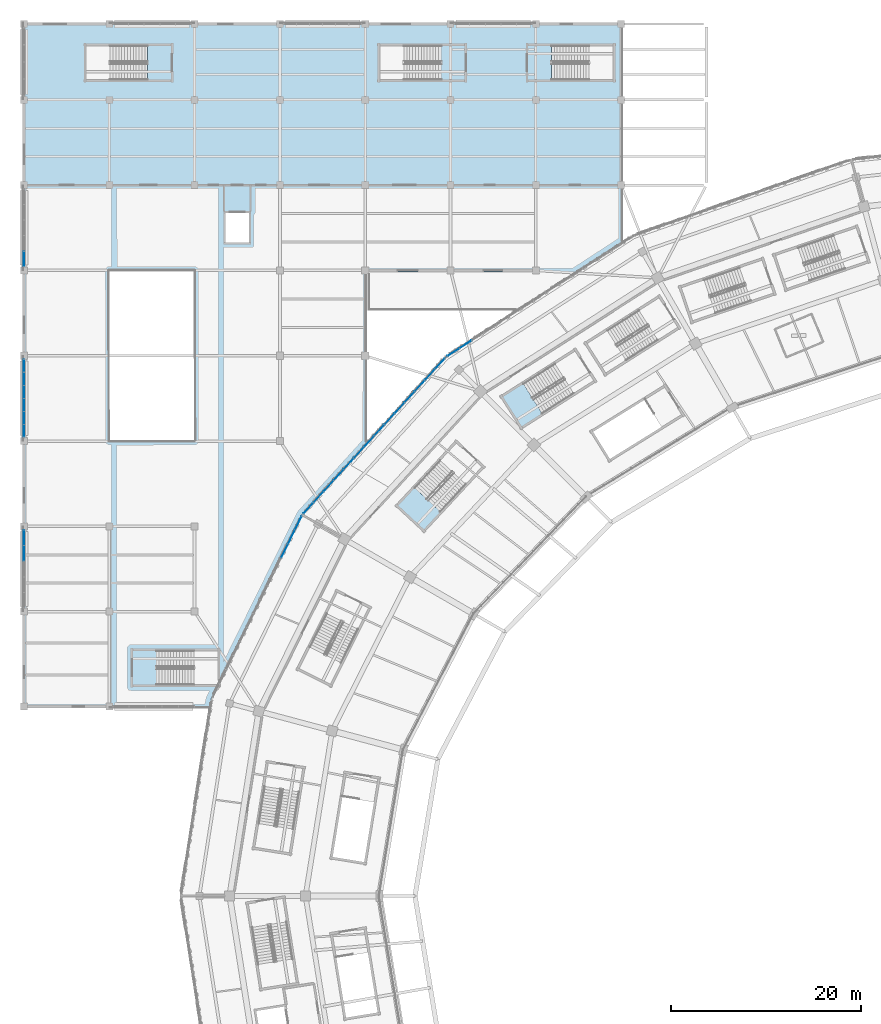
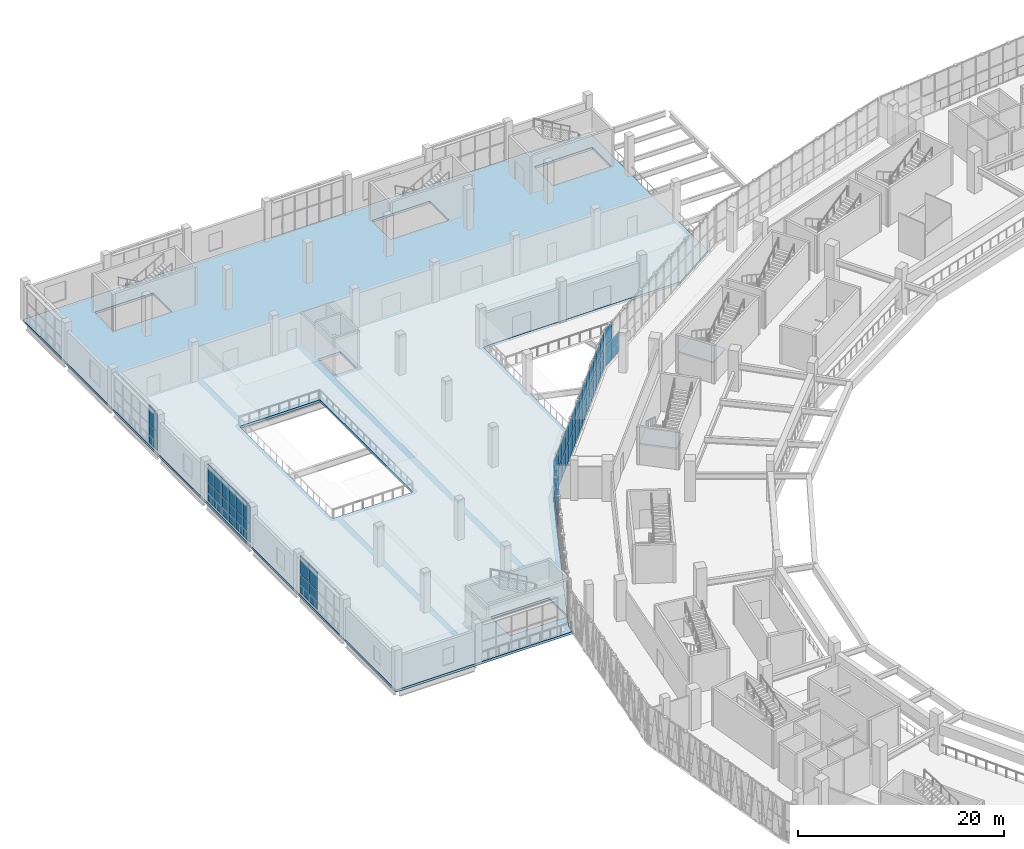
# One storey, part 89 of 179: 55 plates, 3 slabs, 8 elements without a shape of their own.
"""IFC4 building model written with IfcOpenShell, lengths in metres."""

import ifcopenshell
import ifcopenshell.guid

model = None  # the IFC model being written
_history = None  # IfcOwnerHistory: only IFC2X3 demands one
_inside = {}  # id of a spatial element -> (the spatial element, [elements in it])
_under = {}  # id of a project, library or spatial element -> (it, [spatial elements below it])
_declared = {}  # id of a project -> (the project, [libraries it declares])
_typed = {}  # id of a type object -> (the type object, [elements of that type])
_made_of = {}  # id of a material, layer set ... -> (it, [elements and type objects made of it])


def new_model(schema):
    """Start an empty IFC model of exactly this schema.

    Asked for "IFC4X3", IfcOpenShell would pick the latest addendum, in which some entities
    have other attributes; the version numbers below select the first issue.
    IFC2X3 requires an IfcOwnerHistory on every rooted entity: one is made here for all.
    """
    global model, _history
    if schema == "IFC4X3":
        model = ifcopenshell.file(schema_version=(4, 3, 0, 0))
    else:
        model = ifcopenshell.file(schema=schema)
    _inside.clear()
    _under.clear()
    _declared.clear()
    _typed.clear()
    _made_of.clear()
    _history = None
    if model.schema == "IFC2X3":
        org = make("IfcOrganization", Name="unknown")
        user = make(
            "IfcPersonAndOrganization",
            ThePerson=make("IfcPerson", FamilyName="unknown"),
            TheOrganization=org,
        )
        app = make(
            "IfcApplication",
            ApplicationDeveloper=org,
            Version="unknown",
            ApplicationFullName="unknown",
            ApplicationIdentifier="unknown",
        )
        _history = make(
            "IfcOwnerHistory",
            OwningUser=user,
            OwningApplication=app,
            ChangeAction="ADDED",
            CreationDate=0,
        )
    return model


def make(cls, **values):
    """One entity of the class cls with the attributes given. An attribute that is None is left unset."""
    return model.create_entity(
        cls, **{name: value for name, value in values.items() if value is not None}
    )


def rooted(cls, **values):
    """An entity with a GlobalId (a new one), such as an element, a storey or a relation."""
    return make(cls, GlobalId=ifcopenshell.guid.new(), OwnerHistory=_history, **values)


def si_unit(unit_type, name, prefix=None):
    """IfcSIUnit, for example si_unit("LENGTHUNIT", "METRE", prefix="MILLI")."""
    return make("IfcSIUnit", UnitType=unit_type, Prefix=prefix, Name=name)


def assignment(units):
    """IfcUnitAssignment: the units of a project."""
    return None if units is None else make("IfcUnitAssignment", Units=units)


def point(xyz):
    """IfcCartesianPoint."""
    return None if xyz is None else make("IfcCartesianPoint", Coordinates=xyz)


def direction(xyz):
    """IfcDirection."""
    return None if xyz is None else make("IfcDirection", DirectionRatios=xyz)


def frame(location, z_axis=None, x_axis=None):
    """IfcAxis2Placement3D, a coordinate frame: its origin and axes. An axis left out is left unset."""
    return make(
        "IfcAxis2Placement3D",
        Location=point(location),
        Axis=direction(z_axis),
        RefDirection=direction(x_axis),
    )


def frame_2d(location, x_axis=None):
    """IfcAxis2Placement2D, a coordinate frame in the plane: its origin and x axis."""
    return make(
        "IfcAxis2Placement2D", Location=point(location), RefDirection=direction(x_axis)
    )


def origin():
    """The frame at (0, 0, 0) with its axes left unset."""
    return frame((0.0, 0.0, 0.0))


def origin_2d():
    """The frame at (0, 0) in the plane with its x axis left unset."""
    return frame_2d((0.0, 0.0))


def place(relative_to, where):
    """IfcLocalPlacement: puts the frame where relative to a parent placement (None: the world)."""
    return make(
        "IfcLocalPlacement", PlacementRelTo=relative_to, RelativePlacement=where
    )


def context(
    kind, dimensions, precision=None, world=None, true_north=None, identifier=None
):
    """IfcGeometricRepresentationContext, for example the 3D "Model" context."""
    return make(
        "IfcGeometricRepresentationContext",
        ContextIdentifier=identifier,
        ContextType=kind,
        CoordinateSpaceDimension=dimensions,
        Precision=precision,
        WorldCoordinateSystem=world,
        TrueNorth=true_north,
    )


def subcontext(parent, identifier, kind, view, scale=None):
    """IfcGeometricRepresentationSubContext, for example "Body" below "Model"."""
    return make(
        "IfcGeometricRepresentationSubContext",
        ContextIdentifier=identifier,
        ContextType=kind,
        ParentContext=parent,
        TargetScale=scale,
        TargetView=view,
    )


def project(units=None, contexts=None):
    """IfcProject with its units and contexts."""
    return rooted(
        "IfcProject",
        Name="project",
        RepresentationContexts=contexts,
        UnitsInContext=assignment(units),
    )


def spatial(cls, under=None, at=None, **own):
    """A site, building, storey or space (cls), placed at a placement, below another one or the project."""
    s = rooted(cls, ObjectPlacement=at, **own)
    if under is not None:
        _under.setdefault(under.id(), (under, []))[1].append(s)
    return s


def polyline(points):
    """IfcPolyline through the points."""
    return make("IfcPolyline", Points=[point(p) for p in points])


def profile(cls, at=None, kind="AREA", **sizes):
    """A parametric profile (cls). Its sizes go by their IFC names, for example OverallWidth=200.0."""
    return make(cls, ProfileType=kind, Position=at, **sizes)


def rectangle(**sizes):
    """IfcRectangleProfileDef."""
    return profile("IfcRectangleProfileDef", **sizes)


def outline(outer, holes=None, kind="AREA"):
    """IfcArbitraryClosedProfileDef: a profile drawn as a closed curve; with holes, ...WithVoids."""
    if holes is None:
        return make("IfcArbitraryClosedProfileDef", ProfileType=kind, OuterCurve=outer)
    return make(
        "IfcArbitraryProfileDefWithVoids",
        ProfileType=kind,
        OuterCurve=outer,
        InnerCurves=holes,
    )


def extrude(swept, where, along, depth):
    """IfcExtrudedAreaSolid: the profile swept, set in the frame where, extruded along a direction by depth."""
    return make(
        "IfcExtrudedAreaSolid",
        SweptArea=swept,
        Position=where,
        ExtrudedDirection=direction(along),
        Depth=depth,
    )


def shape(context_of_items, identifier, shape_type, items):
    """IfcShapeRepresentation: the items that make up one representation, for example the "Body"."""
    return make(
        "IfcShapeRepresentation",
        ContextOfItems=context_of_items,
        RepresentationIdentifier=identifier,
        RepresentationType=shape_type,
        Items=items,
    )


def material(Name=None, Category=None):
    """IfcMaterial."""
    return make("IfcMaterial", Name=Name, Category=Category)


def layer(
    of_material, thickness, ventilated=None, Name=None, Category=None, Priority=None
):
    """IfcMaterialLayer: one layer of a wall or slab, of a material (None: an air gap)."""
    return make(
        "IfcMaterialLayer",
        Material=of_material,
        LayerThickness=thickness,
        IsVentilated=ventilated,
        Name=Name,
        Category=Category,
        Priority=Priority,
    )


def layer_set(layers, Name=None):
    """IfcMaterialLayerSet."""
    return make("IfcMaterialLayerSet", MaterialLayers=layers, LayerSetName=Name)


def made_of(thing, what):
    """Note that an element or type object is made of a material, layer set ...; save() writes the relation."""
    if what is not None:
        _made_of.setdefault(what.id(), (what, []))[1].append(thing)
    return thing


def type_object(cls, material=None, **own):
    """A type object (cls), such as IfcWallType, which elements share."""
    return made_of(rooted(cls, **own), material)


def element(
    cls,
    number,
    at=None,
    inside=None,
    cuts=None,
    type_object=None,
    material=None,
    context=None,
    identifier="Body",
    shape_type=None,
    held_by="IfcProductDefinitionShape",
    body=None,
    shapes=None,
    **own,
):
    """One element of the class cls, such as IfcWall. Its Tag is "e" and its number.

    at: its placement. inside: the storey or other place that contains it. cuts: it is an
    opening in that element (IfcRelVoidsElement). A single representation is given by context,
    identifier, shape_type and body (its items); several are given by shapes. held_by: the class
    of the entity that holds the representations. save() writes the other relations.
    """
    e = rooted(cls, Tag="e%d" % number, ObjectPlacement=at, **own)
    if body is not None:
        shapes = [shape(context, identifier, shape_type, body)]
    if shapes is not None:
        e.Representation = make(held_by, Representations=shapes)
    if inside is not None:
        _inside.setdefault(inside.id(), (inside, []))[1].append(e)
    if cuts is not None:
        rooted(
            "IfcRelVoidsElement", RelatingBuildingElement=cuts, RelatedOpeningElement=e
        )
    if type_object is not None:
        _typed.setdefault(type_object.id(), (type_object, []))[1].append(e)
    return made_of(e, material)


def aggregate(whole, parts):
    """IfcRelAggregates: a whole, such as a stair, and the parts it consists of."""
    return rooted("IfcRelAggregates", RelatingObject=whole, RelatedObjects=parts)


def save(model, path):
    """Write the relations noted so far, then the file.

    IfcRelAggregates (storeys below a building ...), IfcRelContainedInSpatialStructure (elements
    in a storey), IfcRelDefinesByType, IfcRelAssociatesMaterial and IfcRelDeclares: one each for
    every whole, place, type object, material and project.
    """
    for whole, parts in _under.values():
        aggregate(whole, parts)
    for where, things in _inside.values():
        rooted(
            "IfcRelContainedInSpatialStructure",
            RelatedElements=things,
            RelatingStructure=where,
        )
    for kind, things in _typed.values():
        rooted("IfcRelDefinesByType", RelatedObjects=things, RelatingType=kind)
    for what, things in _made_of.values():
        rooted("IfcRelAssociatesMaterial", RelatedObjects=things, RelatingMaterial=what)
    for by, libraries in _declared.values():
        rooted("IfcRelDeclares", RelatingContext=by, RelatedDefinitions=libraries)
    model.write(path)


model = new_model("IFC4")

# Units and contexts
model_context = context("Model", 3, precision=1e-05, world=origin(), true_north=direction((0.0, 1.0)))
body_context = subcontext(model_context, "Body", "Model", "MODEL_VIEW")
ifc_project = project(units=[si_unit("LENGTHUNIT", "METRE"), si_unit("AREAUNIT", "SQUARE_METRE"), si_unit("VOLUMEUNIT", "CUBIC_METRE"), si_unit("PLANEANGLEUNIT", "RADIAN"), si_unit("MASSUNIT", "GRAM", prefix="KILO")], contexts=[model_context])

# Site, building, storey
site_placement = place(None, origin())
site = spatial("IfcSite", under=ifc_project, at=site_placement, CompositionType="ELEMENT")
building_placement = place(site_placement, origin())
building = spatial("IfcBuilding", under=site, at=building_placement, Name="Zevraka Park Crest Stadium", CompositionType="ELEMENT")
storey_placement = place(building_placement, frame((0.0, 0.0, 10.199951171875)))
storey = spatial("IfcBuildingStorey", under=building, at=storey_placement, Name="L02", CompositionType="ELEMENT", Elevation=10.199951171875)

# Curtain wall, plates
ifc_material_1 = material(Name="Anodised architectural aluminium and laminated safety glass", Category="aluminium")
curtain_wall_type_1 = type_object("IfcCurtainWallType", Name="CW07", PredefinedType="NOTDEFINED", material=ifc_material_1)
curtain_wall_1_placement = place(storey_placement, origin())
curtain_wall_1 = element("IfcCurtainWall", 1, at=curtain_wall_1_placement, inside=storey, type_object=curtain_wall_type_1, Name="Unitised Ring Curtain Wall CW07 L02-10", PredefinedType="NOTDEFINED")
ifc_material_2 = material(Name="Solar-control laminated double glazing", Category="glass")
ifc_layer_1 = layer(ifc_material_2, 0.028076171875)
ifc_layer_set_1 = layer_set([ifc_layer_1], Name="Solar-control laminated double glazing")
plate_type_1 = type_object("IfcPlateType", Name="CP07", PredefinedType="CURTAIN_PANEL", material=ifc_layer_set_1)
plate_1_placement = place(storey_placement, frame((28.936279296875, 131.33837890625, 0.06005859375), z_axis=(0.0, 0.0, 1.0), x_axis=(-0.441021032455, -0.897496768201, 0.0)))
plate_1 = element("IfcPlate", 2, at=plate_1_placement, type_object=plate_type_1, Name="CW07 panel 1.1", PredefinedType="CURTAIN_PANEL", context=body_context, shape_type="SweptSolid", body=[
    extrude(rectangle(XDim=1.552490234375, YDim=0.028076171875, at=origin_2d()), origin(), (0.0, 0.0, 1.0), 2.31005859375),
])
plate_2_placement = place(storey_placement, frame((28.936279296875, 131.33837890625, 2.43017578125), z_axis=(0.0, 0.0, 1.0), x_axis=(-0.441021032455, -0.897496768201, 0.0)))
plate_2 = element("IfcPlate", 3, at=plate_2_placement, type_object=plate_type_1, Name="CW07 panel 1.2", PredefinedType="CURTAIN_PANEL", context=body_context, shape_type="SweptSolid", body=[
    extrude(rectangle(XDim=1.552490234375, YDim=0.028076171875, at=origin_2d()), origin(), (0.0, 0.0, 1.0), 2.010009765625),
])
plate_3_placement = place(storey_placement, frame((28.218505859375, 129.877685546875, 0.06005859375), z_axis=(0.0, 0.0, 1.0), x_axis=(-0.441021032455, -0.897496768201, 0.0)))
plate_3 = element("IfcPlate", 4, at=plate_3_placement, type_object=plate_type_1, Name="CW07 panel 2.1", PredefinedType="CURTAIN_PANEL", context=body_context, shape_type="SweptSolid", body=[
    extrude(rectangle(XDim=1.58251953125, YDim=0.028076171875, at=origin_2d()), origin(), (0.0, 0.0, 1.0), 2.31005859375),
])
plate_4_placement = place(storey_placement, frame((28.218505859375, 129.877685546875, 2.43017578125), z_axis=(0.0, 0.0, 1.0), x_axis=(-0.441021032455, -0.897496768201, 0.0)))
plate_4 = element("IfcPlate", 5, at=plate_4_placement, type_object=plate_type_1, Name="CW07 panel 2.2", PredefinedType="CURTAIN_PANEL", context=body_context, shape_type="SweptSolid", body=[
    extrude(rectangle(XDim=1.58251953125, YDim=0.028076171875, at=origin_2d()), origin(), (0.0, 0.0, 1.0), 2.010009765625),
])
plate_5_placement = place(storey_placement, frame((27.494140625, 128.403564453125, 0.06005859375), z_axis=(0.0, 0.0, 1.0), x_axis=(-0.441021032455, -0.897496768201, 0.0)))
plate_5 = element("IfcPlate", 6, at=plate_5_placement, type_object=plate_type_1, Name="CW07 panel 3.1", PredefinedType="CURTAIN_PANEL", context=body_context, shape_type="SweptSolid", body=[
    extrude(rectangle(XDim=1.58251953125, YDim=0.028076171875, at=origin_2d()), origin(), (0.0, 0.0, 1.0), 2.31005859375),
])
plate_6_placement = place(storey_placement, frame((27.494140625, 128.403564453125, 2.43017578125), z_axis=(0.0, 0.0, 1.0), x_axis=(-0.441021032455, -0.897496768201, 0.0)))
plate_6 = element("IfcPlate", 7, at=plate_6_placement, type_object=plate_type_1, Name="CW07 panel 3.2", PredefinedType="CURTAIN_PANEL", context=body_context, shape_type="SweptSolid", body=[
    extrude(rectangle(XDim=1.58251953125, YDim=0.028076171875, at=origin_2d()), origin(), (0.0, 0.0, 1.0), 2.010009765625),
])
aggregate(curtain_wall_1, [plate_1, plate_2, plate_3, plate_4, plate_5, plate_6])

ifc_material_3 = material(Name="Anodised architectural aluminium and laminated safety glass", Category="aluminium")
curtain_wall_type_2 = type_object("IfcCurtainWallType", Name="CW08", PredefinedType="NOTDEFINED", material=ifc_material_3)
curtain_wall_2_placement = place(storey_placement, origin())
curtain_wall_2 = element("IfcCurtainWall", 8, at=curtain_wall_2_placement, inside=storey, type_object=curtain_wall_type_2, Name="Unitised Ring Curtain Wall CW08 L02-08", PredefinedType="NOTDEFINED")
ifc_material_4 = material(Name="Solar-control laminated double glazing", Category="glass")
ifc_layer_2 = layer(ifc_material_4, 0.028076171875)
ifc_layer_set_2 = layer_set([ifc_layer_2], Name="Solar-control laminated double glazing")
plate_type_2 = type_object("IfcPlateType", Name="CP08", PredefinedType="CURTAIN_PANEL", material=ifc_layer_set_2)
plate_7_placement = place(storey_placement, frame((46.58642578125, 150.195068359375, 0.06494140625), z_axis=(0.0, 0.0, 1.0), x_axis=(-0.839670424967, -0.543096287444, 0.0)))
plate_7 = element("IfcPlate", 9, at=plate_7_placement, type_object=plate_type_2, Name="CW08 panel 14.1", PredefinedType="CURTAIN_PANEL", context=body_context, shape_type="SweptSolid", body=[
    extrude(rectangle(XDim=1.48681640625, YDim=0.028076171875, at=origin_2d()), origin(), (0.0, 0.0, 1.0), 2.302490234375),
])
plate_8_placement = place(storey_placement, frame((45.297119140625, 149.361083984375, 0.06494140625), z_axis=(0.0, 0.0, 1.0), x_axis=(-0.839670424967, -0.543096287444, 0.0)))
plate_8 = element("IfcPlate", 10, at=plate_8_placement, type_object=plate_type_2, Name="CW08 panel 15.1", PredefinedType="CURTAIN_PANEL", context=body_context, shape_type="SweptSolid", body=[
    extrude(rectangle(XDim=1.4541015625, YDim=0.028076171875, at=origin_2d()), origin(), (0.0, 0.0, 1.0), 2.302490234375),
])
plate_9_placement = place(storey_placement, frame((45.297119140625, 149.361083984375, 2.4326171875), z_axis=(0.0, 0.0, 1.0), x_axis=(-0.839670424967, -0.543096287444, 0.0)))
plate_9 = element("IfcPlate", 11, at=plate_9_placement, type_object=plate_type_2, Name="CW08 panel 15.2", PredefinedType="CURTAIN_PANEL", context=body_context, shape_type="SweptSolid", body=[
    extrude(rectangle(XDim=1.4541015625, YDim=0.028076171875, at=origin_2d()), origin(), (0.0, 0.0, 1.0), 2.00244140625),
])
aggregate(curtain_wall_2, [plate_7, plate_8, plate_9])

curtain_wall_3_placement = place(storey_placement, origin())
curtain_wall_3 = element("IfcCurtainWall", 12, at=curtain_wall_3_placement, inside=storey, type_object=curtain_wall_type_2, Name="Unitised Ring Curtain Wall CW08 L02-09", PredefinedType="NOTDEFINED")
plate_10_placement = place(storey_placement, frame((43.889892578125, 148.1650390625, 0.06494140625), z_axis=(0.0, 0.0, 1.0), x_axis=(-0.673159987494, -0.739496877097, 0.0)))
plate_10 = element("IfcPlate", 13, at=plate_10_placement, type_object=plate_type_2, Name="CW08 panel 1.1", PredefinedType="CURTAIN_PANEL", context=body_context, shape_type="SweptSolid", body=[
    extrude(rectangle(XDim=1.492919921875, YDim=0.028076171875, at=origin_2d()), origin(), (0.0, 0.0, 1.0), 2.302490234375),
])
plate_11_placement = place(storey_placement, frame((43.889892578125, 148.1650390625, 2.4326171875), z_axis=(0.0, 0.0, 1.0), x_axis=(-0.673159987494, -0.739496877097, 0.0)))
plate_11 = element("IfcPlate", 14, at=plate_11_placement, type_object=plate_type_2, Name="CW08 panel 1.2", PredefinedType="CURTAIN_PANEL", context=body_context, shape_type="SweptSolid", body=[
    extrude(rectangle(XDim=1.492919921875, YDim=0.028076171875, at=origin_2d()), origin(), (0.0, 0.0, 1.0), 2.00244140625),
])
plate_12_placement = place(storey_placement, frame((42.830078125, 147.0009765625, 0.06494140625), z_axis=(0.0, 0.0, 1.0), x_axis=(-0.673159987494, -0.739496877097, 0.0)))
plate_12 = element("IfcPlate", 15, at=plate_12_placement, type_object=plate_type_2, Name="CW08 panel 2.1", PredefinedType="CURTAIN_PANEL", context=body_context, shape_type="SweptSolid", body=[
    extrude(rectangle(XDim=1.525390625, YDim=0.028076171875, at=origin_2d()), origin(), (0.0, 0.0, 1.0), 2.302490234375),
])
plate_13_placement = place(storey_placement, frame((42.830078125, 147.0009765625, 2.4326171875), z_axis=(0.0, 0.0, 1.0), x_axis=(-0.673159987494, -0.739496877097, 0.0)))
plate_13 = element("IfcPlate", 16, at=plate_13_placement, type_object=plate_type_2, Name="CW08 panel 2.2", PredefinedType="CURTAIN_PANEL", context=body_context, shape_type="SweptSolid", body=[
    extrude(rectangle(XDim=1.525390625, YDim=0.028076171875, at=origin_2d()), origin(), (0.0, 0.0, 1.0), 2.00244140625),
])
plate_14_placement = place(storey_placement, frame((41.759521484375, 145.82470703125, 0.06494140625), z_axis=(0.0, 0.0, 1.0), x_axis=(-0.673159987494, -0.739496877097, 0.0)))
plate_14 = element("IfcPlate", 17, at=plate_14_placement, type_object=plate_type_2, Name="CW08 panel 3.1", PredefinedType="CURTAIN_PANEL", context=body_context, shape_type="SweptSolid", body=[
    extrude(rectangle(XDim=1.525390625, YDim=0.028076171875, at=origin_2d()), origin(), (0.0, 0.0, 1.0), 2.302490234375),
])
plate_15_placement = place(storey_placement, frame((41.759521484375, 145.82470703125, 2.4326171875), z_axis=(0.0, 0.0, 1.0), x_axis=(-0.673159987494, -0.739496877097, 0.0)))
plate_15 = element("IfcPlate", 18, at=plate_15_placement, type_object=plate_type_2, Name="CW08 panel 3.2", PredefinedType="CURTAIN_PANEL", context=body_context, shape_type="SweptSolid", body=[
    extrude(rectangle(XDim=1.525390625, YDim=0.028076171875, at=origin_2d()), origin(), (0.0, 0.0, 1.0), 2.00244140625),
])
plate_16_placement = place(storey_placement, frame((40.68896484375, 144.648681640625, 0.06494140625), z_axis=(0.0, 0.0, 1.0), x_axis=(-0.673159987494, -0.739496877097, 0.0)))
plate_16 = element("IfcPlate", 19, at=plate_16_placement, type_object=plate_type_2, Name="CW08 panel 4.1", PredefinedType="CURTAIN_PANEL", context=body_context, shape_type="SweptSolid", body=[
    extrude(rectangle(XDim=1.525390625, YDim=0.028076171875, at=origin_2d()), origin(), (0.0, 0.0, 1.0), 2.302490234375),
])
plate_17_placement = place(storey_placement, frame((40.68896484375, 144.648681640625, 2.4326171875), z_axis=(0.0, 0.0, 1.0), x_axis=(-0.673159987494, -0.739496877097, 0.0)))
plate_17 = element("IfcPlate", 20, at=plate_17_placement, type_object=plate_type_2, Name="CW08 panel 4.2", PredefinedType="CURTAIN_PANEL", context=body_context, shape_type="SweptSolid", body=[
    extrude(rectangle(XDim=1.525390625, YDim=0.028076171875, at=origin_2d()), origin(), (0.0, 0.0, 1.0), 2.00244140625),
])
plate_18_placement = place(storey_placement, frame((39.618408203125, 143.47265625, 0.06494140625), z_axis=(0.0, 0.0, 1.0), x_axis=(-0.673159987494, -0.739496877097, 0.0)))
plate_18 = element("IfcPlate", 21, at=plate_18_placement, type_object=plate_type_2, Name="CW08 panel 5.1", PredefinedType="CURTAIN_PANEL", context=body_context, shape_type="SweptSolid", body=[
    extrude(rectangle(XDim=1.525390625, YDim=0.028076171875, at=origin_2d()), origin(), (0.0, 0.0, 1.0), 2.302490234375),
])
plate_19_placement = place(storey_placement, frame((39.618408203125, 143.47265625, 2.4326171875), z_axis=(0.0, 0.0, 1.0), x_axis=(-0.673159987494, -0.739496877097, 0.0)))
plate_19 = element("IfcPlate", 22, at=plate_19_placement, type_object=plate_type_2, Name="CW08 panel 5.2", PredefinedType="CURTAIN_PANEL", context=body_context, shape_type="SweptSolid", body=[
    extrude(rectangle(XDim=1.525390625, YDim=0.028076171875, at=origin_2d()), origin(), (0.0, 0.0, 1.0), 2.00244140625),
])
plate_20_placement = place(storey_placement, frame((38.5478515625, 142.296630859375, 0.06494140625), z_axis=(0.0, 0.0, 1.0), x_axis=(-0.673159987494, -0.739496877097, 0.0)))
plate_20 = element("IfcPlate", 23, at=plate_20_placement, type_object=plate_type_2, Name="CW08 panel 6.1", PredefinedType="CURTAIN_PANEL", context=body_context, shape_type="SweptSolid", body=[
    extrude(rectangle(XDim=1.525390625, YDim=0.028076171875, at=origin_2d()), origin(), (0.0, 0.0, 1.0), 2.302490234375),
])
plate_21_placement = place(storey_placement, frame((38.5478515625, 142.296630859375, 2.4326171875), z_axis=(0.0, 0.0, 1.0), x_axis=(-0.673159987494, -0.739496877097, 0.0)))
plate_21 = element("IfcPlate", 24, at=plate_21_placement, type_object=plate_type_2, Name="CW08 panel 6.2", PredefinedType="CURTAIN_PANEL", context=body_context, shape_type="SweptSolid", body=[
    extrude(rectangle(XDim=1.525390625, YDim=0.028076171875, at=origin_2d()), origin(), (0.0, 0.0, 1.0), 2.00244140625),
])
plate_22_placement = place(storey_placement, frame((37.477294921875, 141.12060546875, 0.06494140625), z_axis=(0.0, 0.0, 1.0), x_axis=(-0.673159987494, -0.739496877097, 0.0)))
plate_22 = element("IfcPlate", 25, at=plate_22_placement, type_object=plate_type_2, Name="CW08 panel 7.1", PredefinedType="CURTAIN_PANEL", context=body_context, shape_type="SweptSolid", body=[
    extrude(rectangle(XDim=1.525390625, YDim=0.028076171875, at=origin_2d()), origin(), (0.0, 0.0, 1.0), 2.302490234375),
])
plate_23_placement = place(storey_placement, frame((37.477294921875, 141.12060546875, 2.4326171875), z_axis=(0.0, 0.0, 1.0), x_axis=(-0.673159987494, -0.739496877097, 0.0)))
plate_23 = element("IfcPlate", 26, at=plate_23_placement, type_object=plate_type_2, Name="CW08 panel 7.2", PredefinedType="CURTAIN_PANEL", context=body_context, shape_type="SweptSolid", body=[
    extrude(rectangle(XDim=1.525390625, YDim=0.028076171875, at=origin_2d()), origin(), (0.0, 0.0, 1.0), 2.00244140625),
])
plate_24_placement = place(storey_placement, frame((36.40673828125, 139.944580078125, 0.06494140625), z_axis=(0.0, 0.0, 1.0), x_axis=(-0.673159987494, -0.739496877097, 0.0)))
plate_24 = element("IfcPlate", 27, at=plate_24_placement, type_object=plate_type_2, Name="CW08 panel 8.1", PredefinedType="CURTAIN_PANEL", context=body_context, shape_type="SweptSolid", body=[
    extrude(rectangle(XDim=1.525390625, YDim=0.028076171875, at=origin_2d()), origin(), (0.0, 0.0, 1.0), 2.302490234375),
])
plate_25_placement = place(storey_placement, frame((36.40673828125, 139.944580078125, 2.4326171875), z_axis=(0.0, 0.0, 1.0), x_axis=(-0.673159987494, -0.739496877097, 0.0)))
plate_25 = element("IfcPlate", 28, at=plate_25_placement, type_object=plate_type_2, Name="CW08 panel 8.2", PredefinedType="CURTAIN_PANEL", context=body_context, shape_type="SweptSolid", body=[
    extrude(rectangle(XDim=1.525390625, YDim=0.028076171875, at=origin_2d()), origin(), (0.0, 0.0, 1.0), 2.00244140625),
])
plate_26_placement = place(storey_placement, frame((35.336181640625, 138.768310546875, 0.06494140625), z_axis=(0.0, 0.0, 1.0), x_axis=(-0.673159987494, -0.739496877097, 0.0)))
plate_26 = element("IfcPlate", 29, at=plate_26_placement, type_object=plate_type_2, Name="CW08 panel 9.1", PredefinedType="CURTAIN_PANEL", context=body_context, shape_type="SweptSolid", body=[
    extrude(rectangle(XDim=1.525390625, YDim=0.028076171875, at=origin_2d()), origin(), (0.0, 0.0, 1.0), 2.302490234375),
])
plate_27_placement = place(storey_placement, frame((35.336181640625, 138.768310546875, 2.4326171875), z_axis=(0.0, 0.0, 1.0), x_axis=(-0.673159987494, -0.739496877097, 0.0)))
plate_27 = element("IfcPlate", 30, at=plate_27_placement, type_object=plate_type_2, Name="CW08 panel 9.2", PredefinedType="CURTAIN_PANEL", context=body_context, shape_type="SweptSolid", body=[
    extrude(rectangle(XDim=1.525390625, YDim=0.028076171875, at=origin_2d()), origin(), (0.0, 0.0, 1.0), 2.00244140625),
])
plate_28_placement = place(storey_placement, frame((34.265625, 137.59228515625, 0.06494140625), z_axis=(0.0, 0.0, 1.0), x_axis=(-0.673159987494, -0.739496877097, 0.0)))
plate_28 = element("IfcPlate", 31, at=plate_28_placement, type_object=plate_type_2, Name="CW08 panel 10.1", PredefinedType="CURTAIN_PANEL", context=body_context, shape_type="SweptSolid", body=[
    extrude(rectangle(XDim=1.525390625, YDim=0.028076171875, at=origin_2d()), origin(), (0.0, 0.0, 1.0), 2.302490234375),
])
plate_29_placement = place(storey_placement, frame((34.265625, 137.59228515625, 2.4326171875), z_axis=(0.0, 0.0, 1.0), x_axis=(-0.673159987494, -0.739496877097, 0.0)))
plate_29 = element("IfcPlate", 32, at=plate_29_placement, type_object=plate_type_2, Name="CW08 panel 10.2", PredefinedType="CURTAIN_PANEL", context=body_context, shape_type="SweptSolid", body=[
    extrude(rectangle(XDim=1.525390625, YDim=0.028076171875, at=origin_2d()), origin(), (0.0, 0.0, 1.0), 2.00244140625),
])
plate_30_placement = place(storey_placement, frame((33.195068359375, 136.416259765625, 0.06494140625), z_axis=(0.0, 0.0, 1.0), x_axis=(-0.673159987494, -0.739496877097, 0.0)))
plate_30 = element("IfcPlate", 33, at=plate_30_placement, type_object=plate_type_2, Name="CW08 panel 11.1", PredefinedType="CURTAIN_PANEL", context=body_context, shape_type="SweptSolid", body=[
    extrude(rectangle(XDim=1.525390625, YDim=0.028076171875, at=origin_2d()), origin(), (0.0, 0.0, 1.0), 2.302490234375),
])
plate_31_placement = place(storey_placement, frame((33.195068359375, 136.416259765625, 2.4326171875), z_axis=(0.0, 0.0, 1.0), x_axis=(-0.673159987494, -0.739496877097, 0.0)))
plate_31 = element("IfcPlate", 34, at=plate_31_placement, type_object=plate_type_2, Name="CW08 panel 11.2", PredefinedType="CURTAIN_PANEL", context=body_context, shape_type="SweptSolid", body=[
    extrude(rectangle(XDim=1.525390625, YDim=0.028076171875, at=origin_2d()), origin(), (0.0, 0.0, 1.0), 2.00244140625),
])
plate_32_placement = place(storey_placement, frame((32.12451171875, 135.240234375, 0.06494140625), z_axis=(0.0, 0.0, 1.0), x_axis=(-0.673159987494, -0.739496877097, 0.0)))
plate_32 = element("IfcPlate", 35, at=plate_32_placement, type_object=plate_type_2, Name="CW08 panel 12.1", PredefinedType="CURTAIN_PANEL", context=body_context, shape_type="SweptSolid", body=[
    extrude(rectangle(XDim=1.525390625, YDim=0.028076171875, at=origin_2d()), origin(), (0.0, 0.0, 1.0), 2.302490234375),
])
plate_33_placement = place(storey_placement, frame((32.12451171875, 135.240234375, 2.4326171875), z_axis=(0.0, 0.0, 1.0), x_axis=(-0.673159987494, -0.739496877097, 0.0)))
plate_33 = element("IfcPlate", 36, at=plate_33_placement, type_object=plate_type_2, Name="CW08 panel 12.2", PredefinedType="CURTAIN_PANEL", context=body_context, shape_type="SweptSolid", body=[
    extrude(rectangle(XDim=1.525390625, YDim=0.028076171875, at=origin_2d()), origin(), (0.0, 0.0, 1.0), 2.00244140625),
])
plate_34_placement = place(storey_placement, frame((31.053955078125, 134.064208984375, 0.06494140625), z_axis=(0.0, 0.0, 1.0), x_axis=(-0.673159987494, -0.739496877097, 0.0)))
plate_34 = element("IfcPlate", 37, at=plate_34_placement, type_object=plate_type_2, Name="CW08 panel 13.1", PredefinedType="CURTAIN_PANEL", context=body_context, shape_type="SweptSolid", body=[
    extrude(rectangle(XDim=1.525390625, YDim=0.028076171875, at=origin_2d()), origin(), (0.0, 0.0, 1.0), 2.302490234375),
])
plate_35_placement = place(storey_placement, frame((31.053955078125, 134.064208984375, 2.4326171875), z_axis=(0.0, 0.0, 1.0), x_axis=(-0.673159987494, -0.739496877097, 0.0)))
plate_35 = element("IfcPlate", 38, at=plate_35_placement, type_object=plate_type_2, Name="CW08 panel 13.2", PredefinedType="CURTAIN_PANEL", context=body_context, shape_type="SweptSolid", body=[
    extrude(rectangle(XDim=1.525390625, YDim=0.028076171875, at=origin_2d()), origin(), (0.0, 0.0, 1.0), 2.00244140625),
])
plate_36_placement = place(storey_placement, frame((29.994140625, 132.900146484375, 0.06494140625), z_axis=(0.0, 0.0, 1.0), x_axis=(-0.673159987494, -0.739496877097, 0.0)))
plate_36 = element("IfcPlate", 39, at=plate_36_placement, type_object=plate_type_2, Name="CW08 panel 14.1", PredefinedType="CURTAIN_PANEL", context=body_context, shape_type="SweptSolid", body=[
    extrude(rectangle(XDim=1.492919921875, YDim=0.028076171875, at=origin_2d()), origin(), (0.0, 0.0, 1.0), 2.302490234375),
])
plate_37_placement = place(storey_placement, frame((29.994140625, 132.900146484375, 2.4326171875), z_axis=(0.0, 0.0, 1.0), x_axis=(-0.673159987494, -0.739496877097, 0.0)))
plate_37 = element("IfcPlate", 40, at=plate_37_placement, type_object=plate_type_2, Name="CW08 panel 14.2", PredefinedType="CURTAIN_PANEL", context=body_context, shape_type="SweptSolid", body=[
    extrude(rectangle(XDim=1.492919921875, YDim=0.028076171875, at=origin_2d()), origin(), (0.0, 0.0, 1.0), 2.00244140625),
])
aggregate(curtain_wall_3, [plate_10, plate_11, plate_12, plate_13, plate_14, plate_15, plate_16, plate_17, plate_18, plate_19, plate_20, plate_21, plate_22, plate_23, plate_24, plate_25, plate_26, plate_27, plate_28, plate_29, plate_30, plate_31, plate_32, plate_33, plate_34, plate_35, plate_36, plate_37])

ifc_material_5 = material(Name="Anodised architectural aluminium and laminated safety glass", Category="aluminium")
curtain_wall_type_3 = type_object("IfcCurtainWallType", Name="CW26", PredefinedType="NOTDEFINED", material=ifc_material_5)
curtain_wall_4_placement = place(storey_placement, origin())
curtain_wall_4 = element("IfcCurtainWall", 41, at=curtain_wall_4_placement, inside=storey, type_object=curtain_wall_type_3, Name="Wing Curtain Wall CW26 L02-NW-W-4", PredefinedType="NOTDEFINED")
ifc_material_6 = material(Name="Solar-control laminated double glazing", Category="glass")
ifc_layer_3 = layer(ifc_material_6, 0.035888671875)
ifc_layer_set_3 = layer_set([ifc_layer_3], Name="Solar-control laminated double glazing")
plate_type_3 = type_object("IfcPlateType", Name="CP26", PredefinedType="CURTAIN_PANEL", material=ifc_layer_set_3)
plate_38_placement = place(storey_placement, frame((0.0, 141.0703125, 0.06494140625), z_axis=(0.0, 0.0, 1.0), x_axis=(0.0, 1.0, 0.0)))
plate_38 = element("IfcPlate", 42, at=plate_38_placement, type_object=plate_type_3, Name="CW26 panel 1.1", PredefinedType="CURTAIN_PANEL", context=body_context, shape_type="SweptSolid", body=[
    extrude(rectangle(XDim=1.28076171875, YDim=0.035888671875, at=origin_2d()), origin(), (0.0, 0.0, 1.0), 2.202392578125),
])
plate_39_placement = place(storey_placement, frame((0.0, 141.0703125, 2.33251953125), z_axis=(0.0, 0.0, 1.0), x_axis=(0.0, 1.0, 0.0)))
plate_39 = element("IfcPlate", 43, at=plate_39_placement, type_object=plate_type_3, Name="CW26 panel 1.2", PredefinedType="CURTAIN_PANEL", context=body_context, shape_type="SweptSolid", body=[
    extrude(rectangle(XDim=1.28076171875, YDim=0.035888671875, at=origin_2d()), origin(), (0.0, 0.0, 1.0), 2.1025390625),
])
plate_40_placement = place(storey_placement, frame((0.0, 142.4326171875, 0.06494140625), z_axis=(0.0, 0.0, 1.0), x_axis=(0.0, 1.0, 0.0)))
plate_40 = element("IfcPlate", 44, at=plate_40_placement, type_object=plate_type_3, Name="CW26 panel 2.1", PredefinedType="CURTAIN_PANEL", context=body_context, shape_type="SweptSolid", body=[
    extrude(rectangle(XDim=1.313232421875, YDim=0.035888671875, at=origin_2d()), origin(), (0.0, 0.0, 1.0), 2.202392578125),
])
plate_41_placement = place(storey_placement, frame((0.0, 142.4326171875, 2.33251953125), z_axis=(0.0, 0.0, 1.0), x_axis=(0.0, 1.0, 0.0)))
plate_41 = element("IfcPlate", 45, at=plate_41_placement, type_object=plate_type_3, Name="CW26 panel 2.2", PredefinedType="CURTAIN_PANEL", context=body_context, shape_type="SweptSolid", body=[
    extrude(rectangle(XDim=1.313232421875, YDim=0.035888671875, at=origin_2d()), origin(), (0.0, 0.0, 1.0), 2.1025390625),
])
plate_42_placement = place(storey_placement, frame((0.0, 143.810791015625, 0.06494140625), z_axis=(0.0, 0.0, 1.0), x_axis=(0.0, 1.0, 0.0)))
plate_42 = element("IfcPlate", 46, at=plate_42_placement, type_object=plate_type_3, Name="CW26 panel 3.1", PredefinedType="CURTAIN_PANEL", context=body_context, shape_type="SweptSolid", body=[
    extrude(rectangle(XDim=1.313232421875, YDim=0.035888671875, at=origin_2d()), origin(), (0.0, 0.0, 1.0), 2.202392578125),
])
plate_43_placement = place(storey_placement, frame((0.0, 143.810791015625, 2.33251953125), z_axis=(0.0, 0.0, 1.0), x_axis=(0.0, 1.0, 0.0)))
plate_43 = element("IfcPlate", 47, at=plate_43_placement, type_object=plate_type_3, Name="CW26 panel 3.2", PredefinedType="CURTAIN_PANEL", context=body_context, shape_type="SweptSolid", body=[
    extrude(rectangle(XDim=1.313232421875, YDim=0.035888671875, at=origin_2d()), origin(), (0.0, 0.0, 1.0), 2.1025390625),
])
plate_44_placement = place(storey_placement, frame((0.0, 145.189208984375, 0.06494140625), z_axis=(0.0, 0.0, 1.0), x_axis=(0.0, 1.0, 0.0)))
plate_44 = element("IfcPlate", 48, at=plate_44_placement, type_object=plate_type_3, Name="CW26 panel 4.1", PredefinedType="CURTAIN_PANEL", context=body_context, shape_type="SweptSolid", body=[
    extrude(rectangle(XDim=1.313232421875, YDim=0.035888671875, at=origin_2d()), origin(), (0.0, 0.0, 1.0), 2.202392578125),
])
plate_45_placement = place(storey_placement, frame((0.0, 145.189208984375, 2.33251953125), z_axis=(0.0, 0.0, 1.0), x_axis=(0.0, 1.0, 0.0)))
plate_45 = element("IfcPlate", 49, at=plate_45_placement, type_object=plate_type_3, Name="CW26 panel 4.2", PredefinedType="CURTAIN_PANEL", context=body_context, shape_type="SweptSolid", body=[
    extrude(rectangle(XDim=1.313232421875, YDim=0.035888671875, at=origin_2d()), origin(), (0.0, 0.0, 1.0), 2.1025390625),
])
plate_46_placement = place(storey_placement, frame((0.0, 146.5673828125, 0.06494140625), z_axis=(0.0, 0.0, 1.0), x_axis=(0.0, 1.0, 0.0)))
plate_46 = element("IfcPlate", 50, at=plate_46_placement, type_object=plate_type_3, Name="CW26 panel 5.1", PredefinedType="CURTAIN_PANEL", context=body_context, shape_type="SweptSolid", body=[
    extrude(rectangle(XDim=1.313232421875, YDim=0.035888671875, at=origin_2d()), origin(), (0.0, 0.0, 1.0), 2.202392578125),
])
plate_47_placement = place(storey_placement, frame((0.0, 146.5673828125, 2.33251953125), z_axis=(0.0, 0.0, 1.0), x_axis=(0.0, 1.0, 0.0)))
plate_47 = element("IfcPlate", 51, at=plate_47_placement, type_object=plate_type_3, Name="CW26 panel 5.2", PredefinedType="CURTAIN_PANEL", context=body_context, shape_type="SweptSolid", body=[
    extrude(rectangle(XDim=1.313232421875, YDim=0.035888671875, at=origin_2d()), origin(), (0.0, 0.0, 1.0), 2.1025390625),
])
plate_48_placement = place(storey_placement, frame((0.0, 147.9296875, 0.06494140625), z_axis=(0.0, 0.0, 1.0), x_axis=(0.0, 1.0, 0.0)))
plate_48 = element("IfcPlate", 52, at=plate_48_placement, type_object=plate_type_3, Name="CW26 panel 6.1", PredefinedType="CURTAIN_PANEL", context=body_context, shape_type="SweptSolid", body=[
    extrude(rectangle(XDim=1.28076171875, YDim=0.035888671875, at=origin_2d()), origin(), (0.0, 0.0, 1.0), 2.202392578125),
])
plate_49_placement = place(storey_placement, frame((0.0, 147.9296875, 2.33251953125), z_axis=(0.0, 0.0, 1.0), x_axis=(0.0, 1.0, 0.0)))
plate_49 = element("IfcPlate", 53, at=plate_49_placement, type_object=plate_type_3, Name="CW26 panel 6.2", PredefinedType="CURTAIN_PANEL", context=body_context, shape_type="SweptSolid", body=[
    extrude(rectangle(XDim=1.28076171875, YDim=0.035888671875, at=origin_2d()), origin(), (0.0, 0.0, 1.0), 2.1025390625),
])
aggregate(curtain_wall_4, [plate_38, plate_39, plate_40, plate_41, plate_42, plate_43, plate_44, plate_45, plate_46, plate_47, plate_48, plate_49])

ifc_material_7 = material(Name="Anodised architectural aluminium and laminated safety glass", Category="aluminium")
curtain_wall_type_4 = type_object("IfcCurtainWallType", Name="CW28", PredefinedType="NOTDEFINED", material=ifc_material_7)
curtain_wall_5_placement = place(storey_placement, origin())
curtain_wall_5 = element("IfcCurtainWall", 54, at=curtain_wall_5_placement, inside=storey, type_object=curtain_wall_type_4, Name="Wing Curtain Wall CW28 L02-NW-W-6", PredefinedType="NOTDEFINED")
ifc_material_8 = material(Name="Solar-control laminated double glazing", Category="glass")
ifc_layer_4 = layer(ifc_material_8, 0.035888671875)
ifc_layer_set_4 = layer_set([ifc_layer_4], Name="Solar-control laminated double glazing")
plate_type_4 = type_object("IfcPlateType", Name="CP28", PredefinedType="CURTAIN_PANEL", material=ifc_layer_set_4)
plate_50_placement = place(storey_placement, frame((0.0, 159.20703125, 0.06005859375), z_axis=(0.0, 0.0, 1.0), x_axis=(0.0, 1.0, 0.0)))
plate_50 = element("IfcPlate", 55, at=plate_50_placement, type_object=plate_type_4, Name="CW28 panel 1.1", PredefinedType="CURTAIN_PANEL", context=body_context, shape_type="SweptSolid", body=[
    extrude(rectangle(XDim=1.56396484375, YDim=0.035888671875, at=origin_2d()), origin(), (0.0, 0.0, 1.0), 2.2099609375),
])
plate_51_placement = place(storey_placement, frame((0.0, 159.20703125, 2.330078125), z_axis=(0.0, 0.0, 1.0), x_axis=(0.0, 1.0, 0.0)))
plate_51 = element("IfcPlate", 56, at=plate_51_placement, type_object=plate_type_4, Name="CW28 panel 1.2", PredefinedType="CURTAIN_PANEL", context=body_context, shape_type="SweptSolid", body=[
    extrude(rectangle(XDim=1.56396484375, YDim=0.035888671875, at=origin_2d()), origin(), (0.0, 0.0, 1.0), 2.110107421875),
])
aggregate(curtain_wall_5, [plate_50, plate_51])

ifc_material_9 = material(Name="Anodised architectural aluminium and laminated safety glass", Category="aluminium")
curtain_wall_type_5 = type_object("IfcCurtainWallType", Name="CW29", PredefinedType="NOTDEFINED", material=ifc_material_9)
curtain_wall_6_placement = place(storey_placement, origin())
curtain_wall_6 = element("IfcCurtainWall", 57, at=curtain_wall_6_placement, inside=storey, type_object=curtain_wall_type_5, Name="Wing Curtain Wall CW29 L02-NW-W-2", PredefinedType="NOTDEFINED")
ifc_material_10 = material(Name="Solar-control laminated double glazing", Category="glass")
ifc_layer_5 = layer(ifc_material_10, 0.035888671875)
ifc_layer_set_5 = layer_set([ifc_layer_5], Name="Solar-control laminated double glazing")
plate_type_5 = type_object("IfcPlateType", Name="CP29", PredefinedType="CURTAIN_PANEL", material=ifc_layer_set_5)
plate_52_placement = place(storey_placement, frame((0.0, 128.154052734375, 0.06494140625), z_axis=(0.0, 0.0, 1.0), x_axis=(0.0, 1.0, 0.0)))
plate_52 = element("IfcPlate", 58, at=plate_52_placement, type_object=plate_type_5, Name="CW29 panel 4.1", PredefinedType="CURTAIN_PANEL", context=body_context, shape_type="SweptSolid", body=[
    extrude(rectangle(XDim=1.589111328125, YDim=0.035888671875, at=origin_2d()), origin(), (0.0, 0.0, 1.0), 2.202392578125),
])
plate_53_placement = place(storey_placement, frame((0.0, 128.154052734375, 2.33251953125), z_axis=(0.0, 0.0, 1.0), x_axis=(0.0, 1.0, 0.0)))
plate_53 = element("IfcPlate", 59, at=plate_53_placement, type_object=plate_type_5, Name="CW29 panel 4.2", PredefinedType="CURTAIN_PANEL", context=body_context, shape_type="SweptSolid", body=[
    extrude(rectangle(XDim=1.589111328125, YDim=0.035888671875, at=origin_2d()), origin(), (0.0, 0.0, 1.0), 2.1025390625),
])
plate_54_placement = place(storey_placement, frame((0.0, 129.791748046875, 0.06494140625), z_axis=(0.0, 0.0, 1.0), x_axis=(0.0, 1.0, 0.0)))
plate_54 = element("IfcPlate", 60, at=plate_54_placement, type_object=plate_type_5, Name="CW29 panel 5.1", PredefinedType="CURTAIN_PANEL", context=body_context, shape_type="SweptSolid", body=[
    extrude(rectangle(XDim=1.556396484375, YDim=0.035888671875, at=origin_2d()), origin(), (0.0, 0.0, 1.0), 2.202392578125),
])
plate_55_placement = place(storey_placement, frame((0.0, 129.791748046875, 2.33251953125), z_axis=(0.0, 0.0, 1.0), x_axis=(0.0, 1.0, 0.0)))
plate_55 = element("IfcPlate", 61, at=plate_55_placement, type_object=plate_type_5, Name="CW29 panel 5.2", PredefinedType="CURTAIN_PANEL", context=body_context, shape_type="SweptSolid", body=[
    extrude(rectangle(XDim=1.556396484375, YDim=0.035888671875, at=origin_2d()), origin(), (0.0, 0.0, 1.0), 2.1025390625),
])
aggregate(curtain_wall_6, [plate_52, plate_53, plate_54, plate_55])

# Slab
ifc_material_11 = material(Name="Concrete C35/45", Category="concrete")
ifc_layer_6 = layer(ifc_material_11, 0.27001953125)
ifc_layer_set_6 = layer_set([ifc_layer_6], Name="Concrete C35/45")
slab_type_1 = type_object("IfcSlabType", Name="FS06", PredefinedType="FLOOR", material=ifc_layer_set_6)
slab_1_placement = place(storey_placement, frame((0.0, 0.0, -0.280029296875)))
element("IfcSlab", 62, at=slab_1_placement, inside=storey, type_object=slab_type_1, Name="Northwest Garden-Court Shaded Veranda and Community Sports Wing Floor Slab L02-1", PredefinedType="FLOOR", context=body_context, shape_type="SweptSolid", body=[
    extrude(outline(polyline([(63.175048828125, 184.175048828125), (63.175048828125, 161.02587890625), (58.22705078125, 157.824951171875), (36.175048828125, 157.824951171875), (36.175048828125, 139.81591796875), (29.291015625, 132.2529296875), (20.5, 114.364013671875), (20.5, 117.909912109375), (13.97998046875, 117.909912109375), (13.97998046875, 114.25), (20.444091796875, 114.25), (19.75, 112.8369140625), (19.591064453125, 111.824951171875), (-0.175048828125, 111.824951171875), (-0.175048828125, 184.175048828125), (63.175048828125, 184.175048828125)]), holes=[polyline([(18.0, 158.0), (9.0, 158.0), (9.0, 140.0), (18.0, 140.0), (18.0, 158.0)]), polyline([(21.25, 164.050048828125), (21.25, 160.949951171875), (23.75, 160.949951171875), (23.75, 164.050048828125), (21.25, 164.050048828125)]), polyline([(13.02001953125, 178.090087890625), (13.02001953125, 181.75), (6.5, 181.75), (6.5, 178.090087890625), (13.02001953125, 178.090087890625)]), polyline([(37.5, 178.090087890625), (44.02001953125, 178.090087890625), (44.02001953125, 181.75), (37.5, 181.75), (37.5, 178.090087890625)]), polyline([(62.199951171875, 181.75), (55.679931640625, 181.75), (55.679931640625, 178.090087890625), (62.199951171875, 178.090087890625), (62.199951171875, 181.75)])]), origin(), (0.0, 0.0, 1.0), 0.280029296875),
])

# Stair, slab
ifc_material_12 = material(Name="Concrete C35/45", Category="concrete")
stair_type = type_object("IfcStairType", Name="STA2", PredefinedType="HALF_TURN_STAIR", material=ifc_material_12)
stair_1_placement = place(storey_placement, origin())
stair_1 = element("IfcStair", 63, at=stair_1_placement, inside=storey, type_object=stair_type, Name="L02 Protected Concourse Exit Stair ST10", PredefinedType="HALF_TURN_STAIR")
ifc_material_13 = material(Name="Concrete C35/45", Category="concrete")
ifc_layer_7 = layer(ifc_material_13, 0.199951171875)
ifc_layer_set_7 = layer_set([ifc_layer_7], Name="Concrete C35/45")
slab_type_2 = type_object("IfcSlabType", Name="LS01", PredefinedType="LANDING", material=ifc_layer_set_7)
slab_2_placement = place(storey_placement, frame((0.0, 0.0, 2.199951171875)))
slab_2 = element("IfcSlab", 64, at=slab_2_placement, type_object=slab_type_2, Name="ST10 landing 1", PredefinedType="LANDING", context=body_context, shape_type="SweptSolid", body=[
    extrude(outline(polyline([(41.2021484375, 135.089599609375), (39.4267578125, 133.176513671875), (42.1826171875, 130.618896484375), (43.958251953125, 132.531982421875), (41.2021484375, 135.089599609375)])), origin(), (0.0, 0.0, 1.0), 0.2001953125),
])
aggregate(stair_1, [slab_2])

stair_2_placement = place(storey_placement, origin())
stair_2 = element("IfcStair", 65, at=stair_2_placement, inside=storey, type_object=stair_type, Name="L02 Protected Paired Concourse Exit Stair ST28", PredefinedType="HALF_TURN_STAIR")
slab_3_placement = place(storey_placement, frame((0.0, 0.0, 2.199951171875)))
slab_3 = element("IfcSlab", 66, at=slab_3_placement, type_object=slab_type_2, Name="ST28 landing 1", PredefinedType="LANDING", context=body_context, shape_type="SweptSolid", body=[
    extrude(outline(polyline([(52.675048828125, 146.06689453125), (50.47119140625, 144.668701171875), (52.485595703125, 141.493896484375), (54.689453125, 142.89208984375), (52.675048828125, 146.06689453125)])), origin(), (0.0, 0.0, 1.0), 0.2001953125),
])
aggregate(stair_2, [slab_3])

save(model, "model.ifc")
